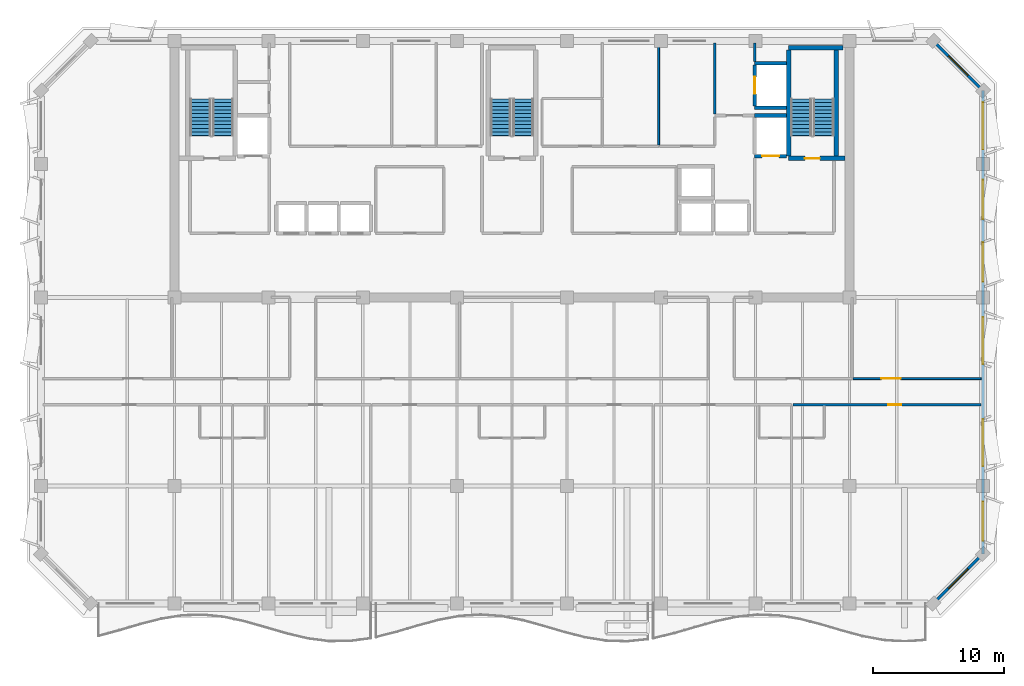
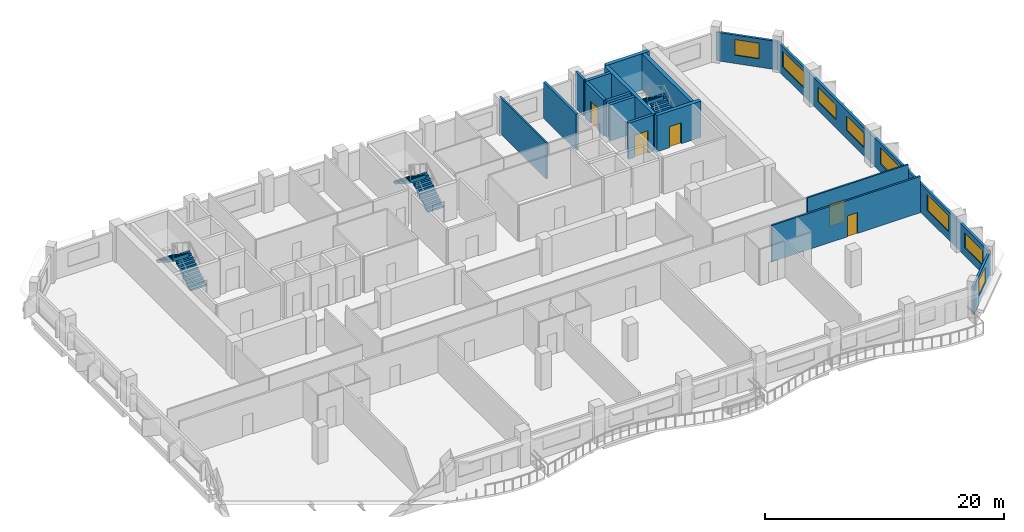
# One storey, part 7 of 10: 17 walls, 8 windows, 6 stair flights, 5 doors, 13 openings, 3 elements without a shape of their own.
"""IFC4 building model written with IfcOpenShell, lengths in metres."""

from ifc_helpers import new_model, si_unit, direction, frame, frame_2d, origin, place, context, subcontext, project, spatial, polyline, rectangle, outline, extrude, material, layer, layer_set, type_object, element, fill, aggregate, save


model = new_model("IFC4")

# Units and contexts
model_context = context("Model", 3, precision=1e-05, world=origin(), true_north=direction((0.0, 1.0)))
body_context = subcontext(model_context, "Body", "Model", "MODEL_VIEW")
ifc_project = project(units=[si_unit("LENGTHUNIT", "METRE"), si_unit("AREAUNIT", "SQUARE_METRE"), si_unit("VOLUMEUNIT", "CUBIC_METRE"), si_unit("PLANEANGLEUNIT", "RADIAN"), si_unit("MASSUNIT", "GRAM", prefix="KILO")], contexts=[model_context])

# Site, building, storey
site_placement = place(None, origin())
site = spatial("IfcSite", under=ifc_project, at=site_placement, CompositionType="ELEMENT")
building_placement = place(site_placement, origin())
building = spatial("IfcBuilding", under=site, at=building_placement, Name="Kaelvorn Grand Hotel", CompositionType="ELEMENT")
storey_placement = place(building_placement, frame((0.0, 0.0, 264.699951171875)))
storey = spatial("IfcBuildingStorey", under=building, at=storey_placement, Name="L65", CompositionType="ELEMENT", Elevation=264.699951171875)

# Wall, opening, window
ifc_material_1 = material(Name="Concrete C40/50", Category="concrete")
ifc_layer_1 = layer(ifc_material_1, 0.219970703125)
ifc_layer_set_1 = layer_set([ifc_layer_1], Name="Concrete C40/50")
wall_type_1 = type_object("IfcWallType", Name="WL-EXT-220-C40", PredefinedType="SOLIDWALL", material=ifc_layer_set_1)
wall_1_placement = place(storey_placement, frame((74.199951171875, 6.0, 0.0), z_axis=(0.0, 0.0, 1.0), x_axis=(0.707106781187, 0.707106781187, 0.0)))
wall_1 = element("IfcWall", 1, at=wall_1_placement, inside=storey, type_object=wall_type_1, Name="L65 Exterior Architectural Concrete Wall 02", PredefinedType="SOLIDWALL", context=body_context, shape_type="SweptSolid", body=[
    extrude(rectangle(XDim=5.3740234375, YDim=0.219970703125, at=frame_2d((2.68701171875, 0.0))), origin(), (0.0, 0.0, 1.0), 2.91015625),
])
opening_1_placement = place(wall_1_placement, frame((1.636962890625, 0.0, 0.85009765625)))
opening_1 = element("IfcOpeningElement", 2, at=opening_1_placement, cuts=wall_1, Name="Opening W7", PredefinedType="OPENING", context=body_context, shape_type="SweptSolid", body=[
    extrude(rectangle(XDim=2.10009765625, YDim=1.60009765625, at=frame_2d((1.050048828125, 0.800048828125))), frame((0.0, 0.1201171875, 0.0), z_axis=(0.0, -1.0, 0.0), x_axis=(1.0, 0.0, 0.0)), (0.0, 0.0, 1.0), 0.239990234375),
])
ifc_material_2 = material(Name="Laminated Low-E Glass", Category="glass")
window_type_1 = type_object("IfcWindowType", Name="WIN-CHM-2100x1600", PartitioningType="SINGLE_PANEL", PredefinedType="WINDOW", material=ifc_material_2)
window_1_placement = place(opening_1_placement, origin())
window_1 = element("IfcWindow", 3, at=window_1_placement, inside=storey, type_object=window_type_1, Name="L65 Chamfered 45-Degree Corner Window SE", OverallHeight=1.60009765625, OverallWidth=2.10009765625, PartitioningType="SINGLE_PANEL", PredefinedType="WINDOW", context=body_context, shape_type="SweptSolid", body=[
    extrude(rectangle(XDim=2.10009765625, YDim=1.60009765625, at=frame_2d((1.050048828125, 0.800048828125))), frame((0.0, 0.030029296875, 0.0), z_axis=(0.0, -1.0, 0.0), x_axis=(1.0, 0.0, 0.0)), (0.0, 0.0, 1.0), 0.06005859375),
])
fill(opening_1, window_1)

# Wall, openings, windows
wall_2_placement = place(storey_placement, frame((78.0, 9.800048828125, 0.0), z_axis=(0.0, 0.0, 1.0), x_axis=(0.0, 1.0, 0.0)))
wall_2 = element("IfcWall", 4, at=wall_2_placement, inside=storey, type_object=wall_type_1, Name="L65 Exterior Architectural Concrete Wall 03", PredefinedType="SOLIDWALL", context=body_context, shape_type="SweptSolid", body=[
    extrude(rectangle(XDim=35.39990234375, YDim=0.219970703125, at=frame_2d((17.699951171875, 0.0))), origin(), (0.0, 0.0, 1.0), 2.91015625),
])
opening_2_placement = place(wall_2_placement, frame((0.985107421875, 0.0, 0.85009765625)))
opening_2 = element("IfcOpeningElement", 5, at=opening_2_placement, cuts=wall_2, Name="Opening W5", PredefinedType="OPENING", context=body_context, shape_type="SweptSolid", body=[
    extrude(rectangle(XDim=3.0, YDim=1.5, at=frame_2d((1.5, 0.75))), frame((0.0, 0.1201171875, 0.0), z_axis=(0.0, -1.0, 0.0), x_axis=(1.0, 0.0, 0.0)), (0.0, 0.0, 1.0), 0.239990234375),
])
opening_3_placement = place(wall_2_placement, frame((6.699951171875, 0.0, 0.85009765625)))
opening_3 = element("IfcOpeningElement", 6, at=opening_3_placement, cuts=wall_2, Name="Opening W3", PredefinedType="OPENING", context=body_context, shape_type="SweptSolid", body=[
    extrude(rectangle(XDim=3.60009765625, YDim=1.64990234375, at=frame_2d((1.800048828125, 0.824951171875))), frame((0.0, 0.1201171875, 0.0), z_axis=(0.0, -1.0, 0.0), x_axis=(1.0, 0.0, 0.0)), (0.0, 0.0, 1.0), 0.239990234375),
])
opening_4_placement = place(wall_2_placement, frame((14.5, 0.0, 0.85009765625)))
opening_4 = element("IfcOpeningElement", 7, at=opening_4_placement, cuts=wall_2, Name="Opening W3", PredefinedType="OPENING", context=body_context, shape_type="SweptSolid", body=[
    extrude(rectangle(XDim=3.60009765625, YDim=1.64990234375, at=frame_2d((1.800048828125, 0.824951171875))), frame((0.0, 0.1201171875, 0.0), z_axis=(0.0, -1.0, 0.0), x_axis=(1.0, 0.0, 0.0)), (0.0, 0.0, 1.0), 0.239990234375),
])
opening_5_placement = place(wall_2_placement, frame((20.81494140625, 0.0, 0.85009765625)))
opening_5 = element("IfcOpeningElement", 8, at=opening_5_placement, cuts=wall_2, Name="Opening W5", PredefinedType="OPENING", context=body_context, shape_type="SweptSolid", body=[
    extrude(rectangle(XDim=3.0, YDim=1.5, at=frame_2d((1.5, 0.75))), frame((0.0, 0.1201171875, 0.0), z_axis=(0.0, -1.0, 0.0), x_axis=(1.0, 0.0, 0.0)), (0.0, 0.0, 1.0), 0.239990234375),
])
opening_6_placement = place(wall_2_placement, frame((25.5849609375, 0.0, 0.85009765625)))
opening_6 = element("IfcOpeningElement", 9, at=opening_6_placement, cuts=wall_2, Name="Opening W5", PredefinedType="OPENING", context=body_context, shape_type="SweptSolid", body=[
    extrude(rectangle(XDim=3.0, YDim=1.5, at=frame_2d((1.5, 0.75))), frame((0.0, 0.1201171875, 0.0), z_axis=(0.0, -1.0, 0.0), x_axis=(1.0, 0.0, 0.0)), (0.0, 0.0, 1.0), 0.239990234375),
])
opening_7_placement = place(wall_2_placement, frame((30.9150390625, 0.0, 0.85009765625)))
opening_7 = element("IfcOpeningElement", 10, at=opening_7_placement, cuts=wall_2, Name="Opening W3", PredefinedType="OPENING", context=body_context, shape_type="SweptSolid", body=[
    extrude(rectangle(XDim=3.60009765625, YDim=1.64990234375, at=frame_2d((1.800048828125, 0.824951171875))), frame((0.0, 0.1201171875, 0.0), z_axis=(0.0, -1.0, 0.0), x_axis=(1.0, 0.0, 0.0)), (0.0, 0.0, 1.0), 0.239990234375),
])
window_type_2 = type_object("IfcWindowType", Name="WIN-NTH-3000x1500", PartitioningType="SINGLE_PANEL", PredefinedType="WINDOW", material=ifc_material_2)
window_2_placement = place(opening_2_placement, origin())
window_2 = element("IfcWindow", 11, at=window_2_placement, inside=storey, type_object=window_type_2, Name="L65 E Wing Tilted-Frame Ribbon Window E01", OverallHeight=1.5, OverallWidth=3.0, PartitioningType="SINGLE_PANEL", PredefinedType="WINDOW", context=body_context, shape_type="SweptSolid", body=[
    extrude(rectangle(XDim=3.0, YDim=1.5, at=frame_2d((1.5, 0.75))), frame((0.0, 0.030029296875, 0.0), z_axis=(0.0, -1.0, 0.0), x_axis=(1.0, 0.0, 0.0)), (0.0, 0.0, 1.0), 0.06005859375),
])
fill(opening_2, window_2)
window_3_placement = place(opening_5_placement, origin())
window_3 = element("IfcWindow", 12, at=window_3_placement, inside=storey, type_object=window_type_2, Name="L65 E Wing Tilted-Frame Ribbon Window E04", OverallHeight=1.5, OverallWidth=3.0, PartitioningType="SINGLE_PANEL", PredefinedType="WINDOW", context=body_context, shape_type="SweptSolid", body=[
    extrude(rectangle(XDim=3.0, YDim=1.5, at=frame_2d((1.5, 0.75))), frame((0.0, 0.030029296875, 0.0), z_axis=(0.0, -1.0, 0.0), x_axis=(1.0, 0.0, 0.0)), (0.0, 0.0, 1.0), 0.06005859375),
])
fill(opening_5, window_3)
window_4_placement = place(opening_6_placement, origin())
window_4 = element("IfcWindow", 13, at=window_4_placement, inside=storey, type_object=window_type_2, Name="L65 E Wing Tilted-Frame Ribbon Window E05", OverallHeight=1.5, OverallWidth=3.0, PartitioningType="SINGLE_PANEL", PredefinedType="WINDOW", context=body_context, shape_type="SweptSolid", body=[
    extrude(rectangle(XDim=3.0, YDim=1.5, at=frame_2d((1.5, 0.75))), frame((0.0, 0.030029296875, 0.0), z_axis=(0.0, -1.0, 0.0), x_axis=(1.0, 0.0, 0.0)), (0.0, 0.0, 1.0), 0.06005859375),
])
fill(opening_6, window_4)
window_type_3 = type_object("IfcWindowType", Name="WIN-RIB-3600x1750", PartitioningType="SINGLE_PANEL", PredefinedType="WINDOW", material=ifc_material_2)
window_5_placement = place(opening_3_placement, origin())
window_5 = element("IfcWindow", 14, at=window_5_placement, inside=storey, type_object=window_type_3, Name="L65 E Wing Tilted-Frame Ribbon Window E02", OverallHeight=1.64990234375, OverallWidth=3.60009765625, PartitioningType="SINGLE_PANEL", PredefinedType="WINDOW", context=body_context, shape_type="SweptSolid", body=[
    extrude(rectangle(XDim=3.60009765625, YDim=1.64990234375, at=frame_2d((1.800048828125, 0.824951171875))), frame((0.0, 0.030029296875, 0.0), z_axis=(0.0, -1.0, 0.0), x_axis=(1.0, 0.0, 0.0)), (0.0, 0.0, 1.0), 0.06005859375),
])
fill(opening_3, window_5)
window_6_placement = place(opening_4_placement, origin())
window_6 = element("IfcWindow", 15, at=window_6_placement, inside=storey, type_object=window_type_3, Name="L65 E Wing Tilted-Frame Ribbon Window E03", OverallHeight=1.64990234375, OverallWidth=3.60009765625, PartitioningType="SINGLE_PANEL", PredefinedType="WINDOW", context=body_context, shape_type="SweptSolid", body=[
    extrude(rectangle(XDim=3.60009765625, YDim=1.64990234375, at=frame_2d((1.800048828125, 0.824951171875))), frame((0.0, 0.030029296875, 0.0), z_axis=(0.0, -1.0, 0.0), x_axis=(1.0, 0.0, 0.0)), (0.0, 0.0, 1.0), 0.06005859375),
])
fill(opening_4, window_6)
window_7_placement = place(opening_7_placement, origin())
window_7 = element("IfcWindow", 16, at=window_7_placement, inside=storey, type_object=window_type_3, Name="L65 E Wing Tilted-Frame Ribbon Window E06", OverallHeight=1.64990234375, OverallWidth=3.60009765625, PartitioningType="SINGLE_PANEL", PredefinedType="WINDOW", context=body_context, shape_type="SweptSolid", body=[
    extrude(rectangle(XDim=3.60009765625, YDim=1.64990234375, at=frame_2d((1.800048828125, 0.824951171875))), frame((0.0, 0.030029296875, 0.0), z_axis=(0.0, -1.0, 0.0), x_axis=(1.0, 0.0, 0.0)), (0.0, 0.0, 1.0), 0.06005859375),
])
fill(opening_7, window_7)

# Wall, opening, window
wall_3_placement = place(storey_placement, frame((78.0, 45.199951171875, 0.0), z_axis=(0.0, 0.0, 1.0), x_axis=(-0.707106781187, 0.707106781187, 0.0)))
wall_3 = element("IfcWall", 17, at=wall_3_placement, inside=storey, type_object=wall_type_1, Name="L65 Exterior Architectural Concrete Wall 04", PredefinedType="SOLIDWALL", context=body_context, shape_type="SweptSolid", body=[
    extrude(rectangle(XDim=5.3740234375, YDim=0.219970703125, at=frame_2d((2.68701171875, 0.0))), origin(), (0.0, 0.0, 1.0), 2.91015625),
])
opening_8_placement = place(wall_3_placement, frame((1.636962890625, 0.0, 0.85009765625)))
opening_8 = element("IfcOpeningElement", 18, at=opening_8_placement, cuts=wall_3, Name="Opening W7", PredefinedType="OPENING", context=body_context, shape_type="SweptSolid", body=[
    extrude(rectangle(XDim=2.10009765625, YDim=1.60009765625, at=frame_2d((1.050048828125, 0.800048828125))), frame((0.0, 0.1201171875, 0.0), z_axis=(0.0, -1.0, 0.0), x_axis=(1.0, 0.0, 0.0)), (0.0, 0.0, 1.0), 0.239990234375),
])
window_8_placement = place(opening_8_placement, origin())
window_8 = element("IfcWindow", 19, at=window_8_placement, inside=storey, type_object=window_type_1, Name="L65 Chamfered 45-Degree Corner Window NE", OverallHeight=1.60009765625, OverallWidth=2.10009765625, PartitioningType="SINGLE_PANEL", PredefinedType="WINDOW", context=body_context, shape_type="SweptSolid", body=[
    extrude(rectangle(XDim=2.10009765625, YDim=1.60009765625, at=frame_2d((1.050048828125, 0.800048828125))), frame((0.0, 0.030029296875, 0.0), z_axis=(0.0, -1.0, 0.0), x_axis=(1.0, 0.0, 0.0)), (0.0, 0.0, 1.0), 0.06005859375),
])
fill(opening_8, window_8)

# Wall
ifc_material_3 = material(Name="Acoustic Gypsum & Stud Partition")
ifc_layer_2 = layer(ifc_material_3, 0.14990234375)
ifc_layer_set_2 = layer_set([ifc_layer_2], Name="Acoustic Gypsum & Stud Partition")
wall_type_2 = type_object("IfcWallType", Name="WL-PART-150-EI60", PredefinedType="PARTITIONING", material=ifc_layer_set_2)
wall_4_placement = place(storey_placement, frame((53.199951171875, 41.030029296875, 0.0), z_axis=(0.0, 0.0, 1.0), x_axis=(0.0, 1.0, 0.0)))
element("IfcWall", 20, at=wall_4_placement, inside=storey, type_object=wall_type_2, Name="L65 Minibar & Glassware Store E Partition", PredefinedType="PARTITIONING", context=body_context, shape_type="SweptSolid", body=[
    extrude(rectangle(XDim=7.820068359375, YDim=0.14990234375, at=frame_2d((3.91015625, 0.0))), origin(), (0.0, 0.0, 1.0), 3.7099609375),
])

# Wall, opening, door
wall_5_placement = place(storey_placement, frame((68.080078125, 23.199951171875, 0.0), z_axis=(0.0, 0.0, 1.0), x_axis=(1.0, 0.0, 0.0)))
wall_5 = element("IfcWall", 21, at=wall_5_placement, inside=storey, type_object=wall_type_2, Name="L65 East Sky Reading Library Lounge S Partition", PredefinedType="PARTITIONING", context=body_context, shape_type="SweptSolid", body=[
    extrude(rectangle(XDim=9.77001953125, YDim=0.14990234375, at=frame_2d((4.885009765625, 0.0))), origin(), (0.0, 0.0, 1.0), 3.7099609375),
])
opening_9_placement = place(wall_5_placement, frame((2.139892578125, 0.0, 0.0)))
opening_9 = element("IfcOpeningElement", 22, at=opening_9_placement, cuts=wall_5, Name="Opening DI5", PredefinedType="OPENING", context=body_context, shape_type="SweptSolid", body=[
    extrude(rectangle(XDim=1.5, YDim=2.25, at=frame_2d((0.75, 1.125))), frame((0.0, 0.0849609375, 0.0), z_axis=(0.0, -1.0, 0.0), x_axis=(1.0, 0.0, 0.0)), (0.0, 0.0, 1.0), 0.169921875),
])
ifc_material_4 = material(Name="Timber Veneer Fire Leaf", Category="wood")
door_type_1 = type_object("IfcDoorType", Name="DR-INT-SALON-1500x2250", OperationType="DOUBLE_DOOR_SINGLE_SWING", PredefinedType="DOOR", material=ifc_material_4)
door_1_placement = place(opening_9_placement, origin())
door_1 = element("IfcDoor", 23, at=door_1_placement, inside=storey, type_object=door_type_1, Name="L65 East Sky Reading Library Lounge Door", OperationType="DOUBLE_DOOR_SINGLE_SWING", OverallHeight=2.25, OverallWidth=1.5, PredefinedType="DOOR", context=body_context, shape_type="SweptSolid", body=[
    extrude(rectangle(XDim=1.5, YDim=2.25, at=frame_2d((0.75, 1.125))), frame((0.0, 0.02490234375, 0.0), z_axis=(0.0, -1.0, 0.0), x_axis=(1.0, 0.0, 0.0)), (0.0, 0.0, 1.0), 0.050048828125),
])
fill(opening_9, door_1)

ifc_layer_3 = layer(ifc_material_3, 0.179931640625)
ifc_layer_set_3 = layer_set([ifc_layer_3], Name="Acoustic Gypsum & Stud Partition")
wall_type_3 = type_object("IfcWallType", Name="WL-PART-180-EI60", PredefinedType="PARTITIONING", material=ifc_layer_set_3)
wall_6_placement = place(storey_placement, frame((63.461669921875, 21.199951171875, 0.0), z_axis=(0.0, 0.0, 1.0), x_axis=(1.0, 0.0, 0.0)))
wall_6 = element("IfcWall", 24, at=wall_6_placement, inside=storey, type_object=wall_type_3, Name="L65 Ambassador Junior Suite L65-06 N Partition", PredefinedType="PARTITIONING", context=body_context, shape_type="SweptSolid", body=[
    extrude(rectangle(XDim=14.388427734375, YDim=0.179931640625, at=frame_2d((7.1943359375, 0.0))), origin(), (0.0, 0.0, 1.0), 3.7099609375),
])
opening_10_placement = place(wall_6_placement, frame((7.303466796875, 0.0, 0.0)))
opening_10 = element("IfcOpeningElement", 25, at=opening_10_placement, cuts=wall_6, Name="Opening DI3", PredefinedType="OPENING", context=body_context, shape_type="SweptSolid", body=[
    extrude(rectangle(XDim=1.0, YDim=2.14990234375, at=frame_2d((0.5, 1.074951171875))), frame((0.0, 0.10009765625, 0.0), z_axis=(0.0, -1.0, 0.0), x_axis=(1.0, 0.0, 0.0)), (0.0, 0.0, 1.0), 0.199951171875),
])
door_type_2 = type_object("IfcDoorType", Name="DR-INT-GUEST-1000x2150", OperationType="NOTDEFINED", PredefinedType="DOOR", material=ifc_material_4)
door_2_placement = place(opening_10_placement, origin())
door_2 = element("IfcDoor", 26, at=door_2_placement, inside=storey, type_object=door_type_2, Name="L65 Ambassador Junior Suite L65-06 Door", OperationType="SINGLE_SWING_RIGHT", OverallHeight=2.14990234375, OverallWidth=1.0, PredefinedType="DOOR", context=body_context, shape_type="SweptSolid", body=[
    extrude(rectangle(XDim=1.0, YDim=2.14990234375, at=frame_2d((0.5, 1.074951171875))), frame((0.0, 0.02490234375, 0.0), z_axis=(0.0, -1.0, 0.0), x_axis=(1.0, 0.0, 0.0)), (0.0, 0.0, 1.0), 0.050048828125),
])
fill(opening_10, door_2)

# Walls
ifc_layer_4 = layer(ifc_material_1, 0.219970703125)
ifc_layer_set_4 = layer_set([ifc_layer_4], Name="Concrete C40/50")
wall_type_4 = type_object("IfcWallType", Name="WL-PART-220-EI120", PredefinedType="PARTITIONING", material=ifc_layer_set_4)
wall_7_placement = place(storey_placement, frame((57.5, 43.4150390625, 0.0), z_axis=(0.0, 0.0, 1.0), x_axis=(0.0, 1.0, 0.0)))
element("IfcWall", 27, at=wall_7_placement, inside=storey, type_object=wall_type_4, Name="L65 Service Lift Lobby W Partition", PredefinedType="PARTITIONING", context=body_context, shape_type="SweptSolid", body=[
    extrude(rectangle(XDim=5.43505859375, YDim=0.219970703125, at=frame_2d((2.717529296875, 0.0))), origin(), (0.0, 0.0, 1.0), 3.7099609375),
])
wall_8_placement = place(storey_placement, frame((60.550048828125, 47.445068359375, 0.0), z_axis=(0.0, 0.0, 1.0), x_axis=(0.0, 1.0, 0.0)))
element("IfcWall", 28, at=wall_8_placement, inside=storey, type_object=wall_type_4, Name="L65 Service Lift Lobby E Partition", PredefinedType="PARTITIONING", context=body_context, shape_type="SweptSolid", body=[
    extrude(rectangle(XDim=1.405029296875, YDim=0.219970703125, at=frame_2d((0.70263671875, 0.0))), origin(), (0.0, 0.0, 1.0), 3.7099609375),
])

# Wall, opening, door
ifc_material_5 = material(Name="Concrete C50/60", Category="concrete")
ifc_layer_5 = layer(ifc_material_5, 0.280029296875)
ifc_layer_set_5 = layer_set([ifc_layer_5], Name="Concrete C50/60")
wall_type_5 = type_object("IfcWallType", Name="WL-SHAFT-280-C50", PredefinedType="SHEAR", material=ifc_layer_set_5)
wall_9_placement = place(storey_placement, frame((60.550048828125, 40.199951171875, 0.0), z_axis=(0.0, 0.0, 1.0), x_axis=(1.0, 0.0, 0.0)))
wall_9 = element("IfcWall", 29, at=wall_9_placement, inside=storey, type_object=wall_type_5, Name="L65 Lift FFL2 Shaft South Wall", PredefinedType="SHEAR", context=body_context, shape_type="SweptSolid", body=[
    extrude(rectangle(XDim=2.4150390625, YDim=0.280029296875, at=frame_2d((1.20751953125, 0.0))), origin(), (0.0, 0.0, 1.0), 3.7099609375),
])
opening_11_placement = place(wall_9_placement, frame((0.574951171875, 0.0, 0.0)))
opening_11 = element("IfcOpeningElement", 30, at=opening_11_placement, cuts=wall_9, Name="Opening LD-FFL2", PredefinedType="OPENING", context=body_context, shape_type="SweptSolid", body=[
    extrude(rectangle(XDim=1.300048828125, YDim=2.300048828125, at=frame_2d((0.64990234375, 1.14990234375))), frame((0.0, 0.14990234375, 0.0), z_axis=(0.0, -1.0, 0.0), x_axis=(1.0, 0.0, 0.0)), (0.0, 0.0, 1.0), 0.300048828125),
])
ifc_material_6 = material(Name="Stainless Steel", Category="steel")
door_type_3 = type_object("IfcDoorType", Name="DR-LIFT-SERV-1300x2300", OperationType="DOUBLE_DOOR_SLIDING", PredefinedType="DOOR", material=ifc_material_6)
door_3_placement = place(opening_11_placement, origin())
door_3 = element("IfcDoor", 31, at=door_3_placement, inside=storey, type_object=door_type_3, Name="L65 Lift FFL2 Sliding Landing Door LD-FFL2", OperationType="DOUBLE_DOOR_SLIDING", OverallHeight=2.300048828125, OverallWidth=1.300048828125, PredefinedType="DOOR", context=body_context, shape_type="SweptSolid", body=[
    extrude(rectangle(XDim=1.300048828125, YDim=2.300048828125, at=frame_2d((0.64990234375, 1.14990234375))), frame((0.0, 0.02490234375, 0.0), z_axis=(0.0, -1.0, 0.0), x_axis=(1.0, 0.0, 0.0)), (0.0, 0.0, 1.0), 0.050048828125),
])
fill(opening_11, door_3)

# Walls
for number, where, z_axis, x_axis, name in (
    (32, (60.550048828125, 43.300048828125, 0.0), (0.0, 0.0, 1.0), (1.0, 0.0, 0.0), "L65 Lift FFL2 Shaft North Wall"),
    (33, (60.550048828125, 43.89990234375, 0.0), (0.0, 0.0, 1.0), (1.0, 0.0, 0.0), "L65 Lift SV1 Shaft South Wall"),
    (34, (60.550048828125, 47.300048828125, 0.0), (0.0, 0.0, 1.0), (1.0, 0.0, 0.0), "L65 Lift SV1 Shaft North Wall"),
):
    element("IfcWall", number, at=place(storey_placement, frame(where, z_axis=z_axis, x_axis=x_axis)), inside=storey, type_object=wall_type_5, Name=name, PredefinedType="SHEAR", context=body_context, shape_type="SweptSolid", body=[
        extrude(rectangle(XDim=2.4150390625, YDim=0.280029296875, at=frame_2d((1.20751953125, 0.0))), origin(), (0.0, 0.0, 1.0), 3.7099609375),
    ])

# Wall, opening, door
wall_10_placement = place(storey_placement, frame((60.550048828125, 44.044921875, 0.0), z_axis=(0.0, 0.0, 1.0), x_axis=(0.0, 1.0, 0.0)))
wall_10 = element("IfcWall", 35, at=wall_10_placement, inside=storey, type_object=wall_type_5, Name="L65 Lift SV1 Shaft West Wall", PredefinedType="SHEAR", context=body_context, shape_type="SweptSolid", body=[
    extrude(rectangle(XDim=3.110107421875, YDim=0.280029296875, at=frame_2d((1.55517578125, 0.0))), origin(), (0.0, 0.0, 1.0), 3.7099609375),
])
opening_12_placement = place(wall_10_placement, frame((0.905029296875, 0.0, 0.0)))
opening_12 = element("IfcOpeningElement", 36, at=opening_12_placement, cuts=wall_10, Name="Opening LD-SV1", PredefinedType="OPENING", context=body_context, shape_type="SweptSolid", body=[
    extrude(rectangle(XDim=1.300048828125, YDim=2.300048828125, at=frame_2d((0.64990234375, 1.14990234375))), frame((0.0, 0.14990234375, 0.0), z_axis=(0.0, -1.0, 0.0), x_axis=(1.0, 0.0, 0.0)), (0.0, 0.0, 1.0), 0.300048828125),
])
door_4_placement = place(opening_12_placement, origin())
door_4 = element("IfcDoor", 37, at=door_4_placement, inside=storey, type_object=door_type_3, Name="L65 Lift SV1 Sliding Landing Door LD-SV1", OperationType="DOUBLE_DOOR_SLIDING", OverallHeight=2.300048828125, OverallWidth=1.300048828125, PredefinedType="DOOR", context=body_context, shape_type="SweptSolid", body=[
    extrude(rectangle(XDim=1.300048828125, YDim=2.300048828125, at=frame_2d((0.64990234375, 1.14990234375))), frame((0.0, 0.02490234375, 0.0), z_axis=(0.0, -1.0, 0.0), x_axis=(1.0, 0.0, 0.0)), (0.0, 0.0, 1.0), 0.050048828125),
])
fill(opening_12, door_4)

ifc_material_7 = material(Name="Concrete C60/75", Category="concrete")
ifc_layer_6 = layer(ifc_material_7, 0.35009765625)
ifc_layer_set_6 = layer_set([ifc_layer_6], Name="Concrete C60/75")
wall_type_6 = type_object("IfcWallType", Name="WL-SHAFT-350-C60", PredefinedType="SHEAR", material=ifc_layer_set_6)
wall_11_placement = place(storey_placement, frame((63.14501953125, 40.02490234375, 0.0), z_axis=(0.0, 0.0, 1.0), x_axis=(1.0, 0.0, 0.0)))
wall_11 = element("IfcWall", 38, at=wall_11_placement, inside=storey, type_object=wall_type_6, Name="L65 ST3 Stair Shaft South Wall", PredefinedType="SHEAR", context=body_context, shape_type="SweptSolid", body=[
    extrude(rectangle(XDim=4.300048828125, YDim=0.35009765625, at=frame_2d((2.14990234375, 0.0))), origin(), (0.0, 0.0, 1.0), 3.7099609375),
])
opening_13_placement = place(wall_11_placement, frame((1.239990234375, 0.0, 0.0)))
opening_13 = element("IfcOpeningElement", 39, at=opening_13_placement, cuts=wall_11, Name="Opening DI1", PredefinedType="OPENING", context=body_context, shape_type="SweptSolid", body=[
    extrude(rectangle(XDim=1.14990234375, YDim=2.14990234375, at=frame_2d((0.574951171875, 1.074951171875))), frame((0.0, 0.18505859375, 0.0), z_axis=(0.0, -1.0, 0.0), x_axis=(1.0, 0.0, 0.0)), (0.0, 0.0, 1.0), 0.3701171875),
])
door_type_4 = type_object("IfcDoorType", Name="DR-INT-STAIR-1150x2150", OperationType="NOTDEFINED", PredefinedType="DOOR", material=ifc_material_4)
door_5_placement = place(opening_13_placement, origin())
door_5 = element("IfcDoor", 40, at=door_5_placement, inside=storey, type_object=door_type_4, Name="L65 ST3 Exit Stair Fire Door", OperationType="SINGLE_SWING_LEFT", OverallHeight=2.14990234375, OverallWidth=1.14990234375, PredefinedType="DOOR", context=body_context, shape_type="SweptSolid", body=[
    extrude(rectangle(XDim=1.14990234375, YDim=2.14990234375, at=frame_2d((0.574951171875, 1.074951171875))), frame((0.0, 0.02490234375, 0.0), z_axis=(0.0, -1.0, 0.0), x_axis=(1.0, 0.0, 0.0)), (0.0, 0.0, 1.0), 0.050048828125),
])
fill(opening_13, door_5)

# Walls
wall_12_placement = place(storey_placement, frame((63.14501953125, 48.47509765625, 0.0), z_axis=(0.0, 0.0, 1.0), x_axis=(1.0, 0.0, 0.0)))
element("IfcWall", 41, at=wall_12_placement, inside=storey, type_object=wall_type_6, Name="L65 ST3 Stair Shaft North Wall", PredefinedType="SHEAR", context=body_context, shape_type="SweptSolid", body=[
    extrude(rectangle(XDim=4.14990234375, YDim=0.35009765625, at=frame_2d((2.074951171875, 0.0))), origin(), (0.0, 0.0, 1.0), 3.7099609375),
])
for number, where, z_axis, x_axis, name in (
    (42, (63.14501953125, 40.205078125, 0.0), (0.0, 0.0, 1.0), (0.0, 1.0, 0.0), "L65 ST3 Stair Shaft West Wall"),
    (43, (66.77490234375, 40.205078125, 0.0), (0.0, 0.0, 1.0), (0.0, 1.0, 0.0), "L65 ST3 Stair Shaft East Wall"),
):
    element("IfcWall", number, at=place(storey_placement, frame(where, z_axis=z_axis, x_axis=x_axis)), inside=storey, type_object=wall_type_6, Name=name, PredefinedType="SHEAR", context=body_context, shape_type="SweptSolid", body=[
        extrude(rectangle(XDim=8.08984375, YDim=0.35009765625, at=frame_2d((4.044921875, 0.0))), origin(), (0.0, 0.0, 1.0), 3.7099609375),
    ])

# Stair, stair flights
stair_type = type_object("IfcStairType", Name="STR-DOG-1560-R09", PredefinedType="HALF_TURN_STAIR", material=ifc_material_1)
stair_1_placement = place(storey_placement, origin())
stair_1 = element("IfcStair", 44, at=stair_1_placement, inside=storey, type_object=stair_type, Name="L65 West Core Exit Stair ST1", PredefinedType="HALF_TURN_STAIR")
stair_flight_type = type_object("IfcStairFlightType", Name="FLG-DOG-1560-R09", PredefinedType="STRAIGHT", material=ifc_material_1)
stair_flight_1_placement = place(storey_placement, frame((19.89990234375, 41.760009765625, 0.0), z_axis=(0.0, 0.0, 1.0), x_axis=(0.0, 1.0, 0.0)))
stair_flight_1 = element("IfcStairFlight", 45, at=stair_flight_1_placement, type_object=stair_flight_type, Name="ST1 flight 1", NumberOfRisers=11, NumberOfTreads=10, PredefinedType="STRAIGHT", RiserHeight=0.179545455, TreadLength=0.28, context=body_context, shape_type="SweptSolid", body=[
    extrude(outline(polyline([(-0.0048828125, 0.0), (-0.0048828125, 0.0400390625), (0.0, 0.179443359375), (0.280029296875, 0.179443359375), (0.280029296875, 0.359130859375), (0.56005859375, 0.359130859375), (0.56005859375, 0.53857421875), (0.840087890625, 0.53857421875), (0.840087890625, 0.71826171875), (1.1201171875, 0.71826171875), (1.1201171875, 0.897705078125), (1.39990234375, 0.897705078125), (1.39990234375, 1.077392578125), (1.679931640625, 1.077392578125), (1.679931640625, 1.2568359375), (1.9599609375, 1.2568359375), (1.9599609375, 1.436279296875), (2.239990234375, 1.436279296875), (2.239990234375, 1.615966796875), (2.52001953125, 1.615966796875), (2.52001953125, 1.79541015625), (2.800048828125, 1.79541015625), (2.800048828125, 1.97509765625), (2.804931640625, 1.97509765625), (2.804931640625, 1.617431640625), (0.277587890625, 0.0), (-0.0048828125, 0.0)])), frame((0.0, 0.780029296875, 0.0), z_axis=(0.0, -1.0, 0.0), x_axis=(1.0, 0.0, 0.0)), (0.0, 0.0, 1.0), 1.56005859375),
])
stair_flight_2_placement = place(storey_placement, frame((18.179931640625, 44.56005859375, 1.97509765625), z_axis=(0.0, 0.0, 1.0), x_axis=(0.0, -1.0, 0.0)))
stair_flight_2 = element("IfcStairFlight", 46, at=stair_flight_2_placement, type_object=stair_flight_type, Name="ST1 flight 2", NumberOfRisers=11, NumberOfTreads=10, PredefinedType="STRAIGHT", RiserHeight=0.179545455, TreadLength=0.28, context=body_context, shape_type="SweptSolid", body=[
    extrude(outline(polyline([(-0.0048828125, 0.0), (-0.0048828125, 0.0400390625), (0.0, 0.179443359375), (0.280029296875, 0.179443359375), (0.280029296875, 0.359130859375), (0.56005859375, 0.359130859375), (0.56005859375, 0.53857421875), (0.840087890625, 0.53857421875), (0.840087890625, 0.71826171875), (1.1201171875, 0.71826171875), (1.1201171875, 0.897705078125), (1.39990234375, 0.897705078125), (1.39990234375, 1.077392578125), (1.679931640625, 1.077392578125), (1.679931640625, 1.2568359375), (1.9599609375, 1.2568359375), (1.9599609375, 1.436279296875), (2.239990234375, 1.436279296875), (2.239990234375, 1.615966796875), (2.52001953125, 1.615966796875), (2.52001953125, 1.79541015625), (2.800048828125, 1.79541015625), (2.800048828125, 1.97509765625), (2.804931640625, 1.97509765625), (2.804931640625, 1.617431640625), (0.277587890625, 0.0), (-0.0048828125, 0.0)])), frame((0.0, 0.780029296875, 0.0), z_axis=(0.0, -1.0, 0.0), x_axis=(1.0, 0.0, 0.0)), (0.0, 0.0, 1.0), 1.56005859375),
])
aggregate(stair_1, [stair_flight_1, stair_flight_2])

stair_2_placement = place(storey_placement, origin())
stair_2 = element("IfcStair", 47, at=stair_2_placement, inside=storey, type_object=stair_type, Name="L65 Central Core Exit Stair ST2", PredefinedType="HALF_TURN_STAIR")
stair_flight_3_placement = place(storey_placement, frame((42.860107421875, 41.760009765625, 0.0), z_axis=(0.0, 0.0, 1.0), x_axis=(0.0, 1.0, 0.0)))
stair_flight_3 = element("IfcStairFlight", 48, at=stair_flight_3_placement, type_object=stair_flight_type, Name="ST2 flight 1", NumberOfRisers=11, NumberOfTreads=10, PredefinedType="STRAIGHT", RiserHeight=0.179545455, TreadLength=0.28, context=body_context, shape_type="SweptSolid", body=[
    extrude(outline(polyline([(-0.0048828125, 0.0), (-0.0048828125, 0.0400390625), (0.0, 0.179443359375), (0.280029296875, 0.179443359375), (0.280029296875, 0.359130859375), (0.56005859375, 0.359130859375), (0.56005859375, 0.53857421875), (0.840087890625, 0.53857421875), (0.840087890625, 0.71826171875), (1.1201171875, 0.71826171875), (1.1201171875, 0.897705078125), (1.39990234375, 0.897705078125), (1.39990234375, 1.077392578125), (1.679931640625, 1.077392578125), (1.679931640625, 1.2568359375), (1.9599609375, 1.2568359375), (1.9599609375, 1.436279296875), (2.239990234375, 1.436279296875), (2.239990234375, 1.615966796875), (2.52001953125, 1.615966796875), (2.52001953125, 1.79541015625), (2.800048828125, 1.79541015625), (2.800048828125, 1.97509765625), (2.804931640625, 1.97509765625), (2.804931640625, 1.617431640625), (0.277587890625, 0.0), (-0.0048828125, 0.0)])), frame((0.0, 0.780029296875, 0.0), z_axis=(0.0, -1.0, 0.0), x_axis=(1.0, 0.0, 0.0)), (0.0, 0.0, 1.0), 1.56005859375),
])
stair_flight_4_placement = place(storey_placement, frame((41.139892578125, 44.56005859375, 1.97509765625), z_axis=(0.0, 0.0, 1.0), x_axis=(0.0, -1.0, 0.0)))
stair_flight_4 = element("IfcStairFlight", 49, at=stair_flight_4_placement, type_object=stair_flight_type, Name="ST2 flight 2", NumberOfRisers=11, NumberOfTreads=10, PredefinedType="STRAIGHT", RiserHeight=0.179545455, TreadLength=0.28, context=body_context, shape_type="SweptSolid", body=[
    extrude(outline(polyline([(-0.0048828125, 0.0), (-0.0048828125, 0.0400390625), (0.0, 0.179443359375), (0.280029296875, 0.179443359375), (0.280029296875, 0.359130859375), (0.56005859375, 0.359130859375), (0.56005859375, 0.53857421875), (0.840087890625, 0.53857421875), (0.840087890625, 0.71826171875), (1.1201171875, 0.71826171875), (1.1201171875, 0.897705078125), (1.39990234375, 0.897705078125), (1.39990234375, 1.077392578125), (1.679931640625, 1.077392578125), (1.679931640625, 1.2568359375), (1.9599609375, 1.2568359375), (1.9599609375, 1.436279296875), (2.239990234375, 1.436279296875), (2.239990234375, 1.615966796875), (2.52001953125, 1.615966796875), (2.52001953125, 1.79541015625), (2.800048828125, 1.79541015625), (2.800048828125, 1.97509765625), (2.804931640625, 1.97509765625), (2.804931640625, 1.617431640625), (0.277587890625, 0.0), (-0.0048828125, 0.0)])), frame((0.0, 0.780029296875, 0.0), z_axis=(0.0, -1.0, 0.0), x_axis=(1.0, 0.0, 0.0)), (0.0, 0.0, 1.0), 1.56005859375),
])
aggregate(stair_2, [stair_flight_3, stair_flight_4])

stair_3_placement = place(storey_placement, origin())
stair_3 = element("IfcStair", 50, at=stair_3_placement, inside=storey, type_object=stair_type, Name="L65 East Core Exit Stair ST3", PredefinedType="HALF_TURN_STAIR")
stair_flight_5_placement = place(storey_placement, frame((65.820068359375, 41.760009765625, 0.0), z_axis=(0.0, 0.0, 1.0), x_axis=(0.0, 1.0, 0.0)))
stair_flight_5 = element("IfcStairFlight", 51, at=stair_flight_5_placement, type_object=stair_flight_type, Name="ST3 flight 1", NumberOfRisers=11, NumberOfTreads=10, PredefinedType="STRAIGHT", RiserHeight=0.179545455, TreadLength=0.28, context=body_context, shape_type="SweptSolid", body=[
    extrude(outline(polyline([(-0.0048828125, 0.0), (-0.0048828125, 0.0400390625), (0.0, 0.179443359375), (0.280029296875, 0.179443359375), (0.280029296875, 0.359130859375), (0.56005859375, 0.359130859375), (0.56005859375, 0.53857421875), (0.840087890625, 0.53857421875), (0.840087890625, 0.71826171875), (1.1201171875, 0.71826171875), (1.1201171875, 0.897705078125), (1.39990234375, 0.897705078125), (1.39990234375, 1.077392578125), (1.679931640625, 1.077392578125), (1.679931640625, 1.2568359375), (1.9599609375, 1.2568359375), (1.9599609375, 1.436279296875), (2.239990234375, 1.436279296875), (2.239990234375, 1.615966796875), (2.52001953125, 1.615966796875), (2.52001953125, 1.79541015625), (2.800048828125, 1.79541015625), (2.800048828125, 1.97509765625), (2.804931640625, 1.97509765625), (2.804931640625, 1.617431640625), (0.277587890625, 0.0), (-0.0048828125, 0.0)])), frame((0.0, 0.780029296875, 0.0), z_axis=(0.0, -1.0, 0.0), x_axis=(1.0, 0.0, 0.0)), (0.0, 0.0, 1.0), 1.56005859375),
])
stair_flight_6_placement = place(storey_placement, frame((64.10009765625, 44.56005859375, 1.97509765625), z_axis=(0.0, 0.0, 1.0), x_axis=(0.0, -1.0, 0.0)))
stair_flight_6 = element("IfcStairFlight", 52, at=stair_flight_6_placement, type_object=stair_flight_type, Name="ST3 flight 2", NumberOfRisers=11, NumberOfTreads=10, PredefinedType="STRAIGHT", RiserHeight=0.179545455, TreadLength=0.28, context=body_context, shape_type="SweptSolid", body=[
    extrude(outline(polyline([(-0.0048828125, 0.0), (-0.0048828125, 0.0400390625), (0.0, 0.179443359375), (0.280029296875, 0.179443359375), (0.280029296875, 0.359130859375), (0.56005859375, 0.359130859375), (0.56005859375, 0.53857421875), (0.840087890625, 0.53857421875), (0.840087890625, 0.71826171875), (1.1201171875, 0.71826171875), (1.1201171875, 0.897705078125), (1.39990234375, 0.897705078125), (1.39990234375, 1.077392578125), (1.679931640625, 1.077392578125), (1.679931640625, 1.2568359375), (1.9599609375, 1.2568359375), (1.9599609375, 1.436279296875), (2.239990234375, 1.436279296875), (2.239990234375, 1.615966796875), (2.52001953125, 1.615966796875), (2.52001953125, 1.79541015625), (2.800048828125, 1.79541015625), (2.800048828125, 1.97509765625), (2.804931640625, 1.97509765625), (2.804931640625, 1.617431640625), (0.277587890625, 0.0), (-0.0048828125, 0.0)])), frame((0.0, 0.780029296875, 0.0), z_axis=(0.0, -1.0, 0.0), x_axis=(1.0, 0.0, 0.0)), (0.0, 0.0, 1.0), 1.56005859375),
])
aggregate(stair_3, [stair_flight_5, stair_flight_6])

save(model, "model.ifc")
